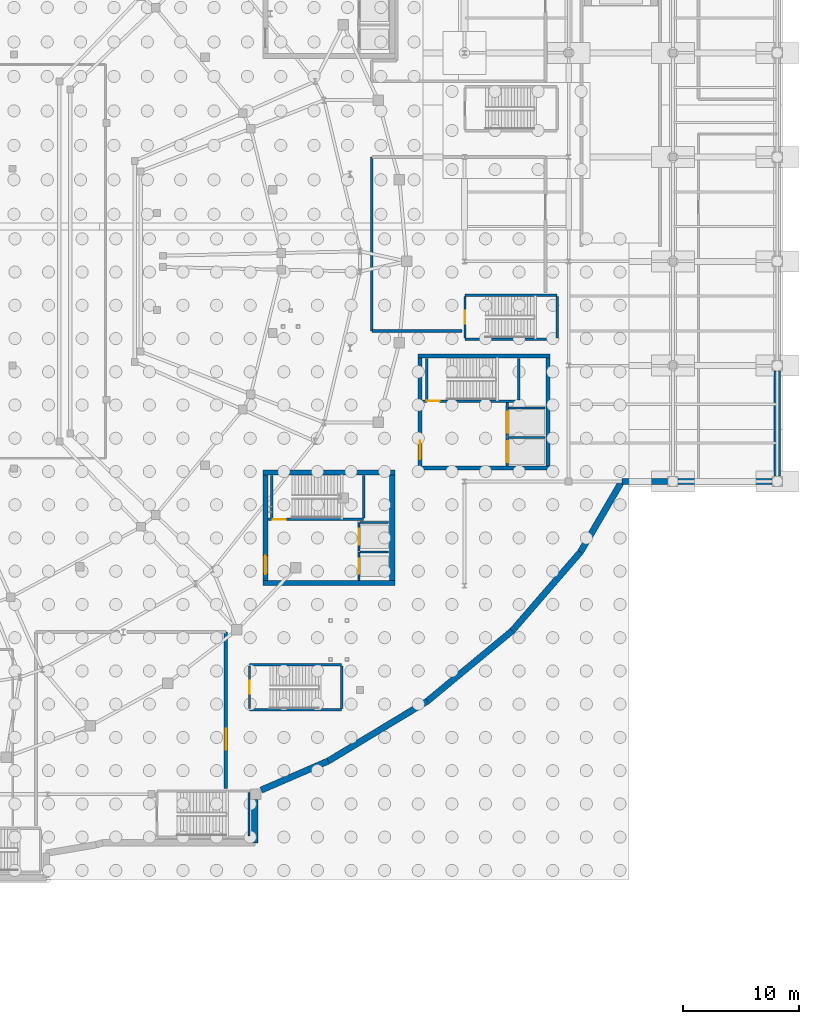
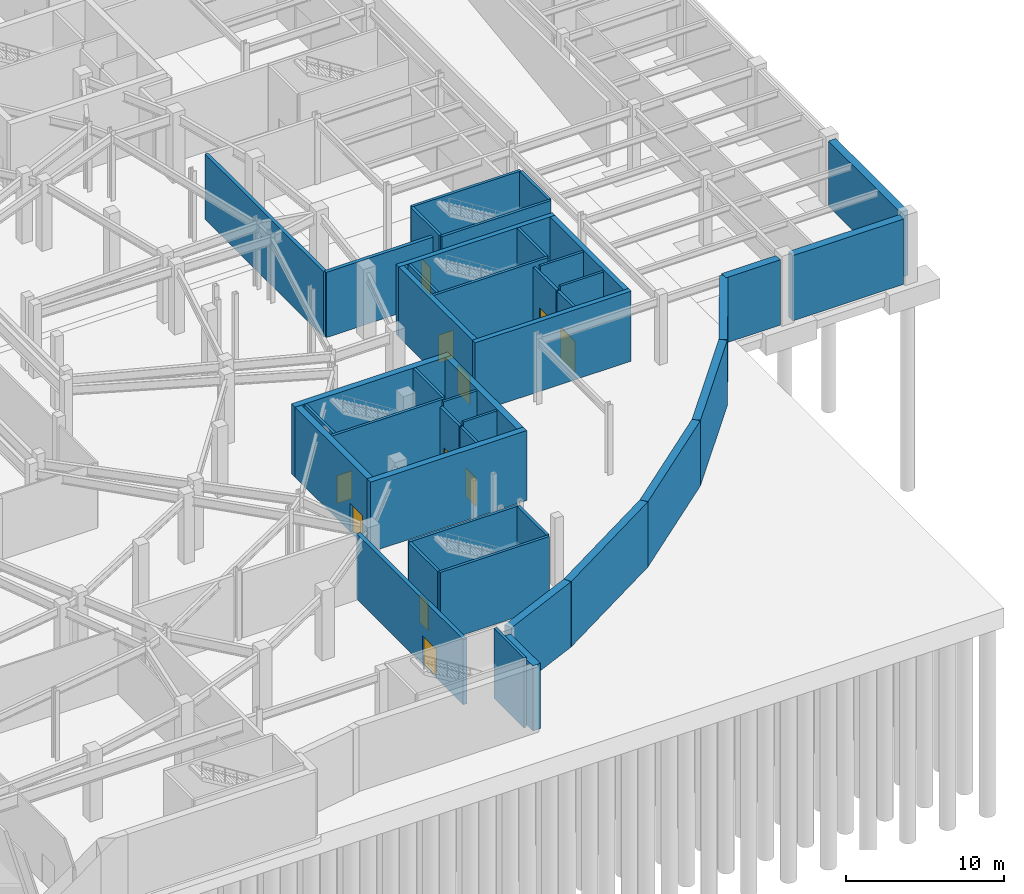
# One storey, part 47 of 56: 43 walls, 11 doors, 11 openings.
"""IFC4 building model written with IfcOpenShell, lengths in metres."""

from ifc_helpers import new_model, si_unit, direction, frame, frame_2d, origin, place, context, subcontext, project, spatial, rectangle, extrude, material, layer, layer_set, type_object, element, fill, save


model = new_model("IFC4")

# Units and contexts
model_context = context("Model", 3, precision=1e-05, world=origin(), true_north=direction((0.0, 1.0)))
body_context = subcontext(model_context, "Body", "Model", "MODEL_VIEW")
ifc_project = project(units=[si_unit("LENGTHUNIT", "METRE"), si_unit("AREAUNIT", "SQUARE_METRE"), si_unit("VOLUMEUNIT", "CUBIC_METRE"), si_unit("PLANEANGLEUNIT", "RADIAN"), si_unit("MASSUNIT", "GRAM", prefix="KILO")], contexts=[model_context])

# Site, building, storey
site_placement = place(None, origin())
site = spatial("IfcSite", under=ifc_project, at=site_placement, CompositionType="ELEMENT")
building_placement = place(site_placement, origin())
building = spatial("IfcBuilding", under=site, at=building_placement, Name="Glasvene Arena", CompositionType="ELEMENT")
storey_placement = place(building_placement, frame((0.0, 0.0, -5.39990234375)))
storey = spatial("IfcBuildingStorey", under=building, at=storey_placement, Name="B1", CompositionType="ELEMENT", Elevation=-5.39990234375)

# Walls
ifc_material_1 = material(Name="Concrete C40/50", Category="concrete")
ifc_layer_1 = layer(ifc_material_1, 0.35009765625)
ifc_layer_set_1 = layer_set([ifc_layer_1], Name="Concrete C40/50")
wall_type_1 = type_object("IfcWallType", Name="WL-CORE-350", PredefinedType="SHEAR", material=ifc_layer_set_1)
for number, where, z_axis, x_axis, name in (
    (1, (143.0, 55.175048828125, 0.0), (0.0, 0.0, 1.0), (1.0, 0.0, 0.0), "Core C6 Production shear wall S B1"),
    (2, (143.0, 64.824951171875, 0.0), (0.0, 0.0, 1.0), (1.0, 0.0, 0.0), "Core C6 Production shear wall N B1"),
):
    element("IfcWall", number, at=place(storey_placement, frame(where, z_axis=z_axis, x_axis=x_axis)), inside=storey, type_object=wall_type_1, Name=name, PredefinedType="SHEAR", context=body_context, shape_type="SweptSolid", body=[
        extrude(rectangle(XDim=11.39990234375, YDim=0.35009765625, at=frame_2d((5.699951171875, 0.0))), origin(), (0.0, 0.0, 1.0), 5.39990234375),
    ])

# Wall, opening, door
wall_1_placement = place(storey_placement, frame((143.175048828125, 55.35009765625, 0.0), z_axis=(0.0, 0.0, 1.0), x_axis=(0.0, 1.0, 0.0)))
wall_1 = element("IfcWall", 3, at=wall_1_placement, inside=storey, type_object=wall_type_1, Name="Core C6 Production shear wall W B1", PredefinedType="SHEAR", context=body_context, shape_type="SweptSolid", body=[
    extrude(rectangle(XDim=9.2998046875, YDim=0.35009765625, at=frame_2d((4.64990234375, 0.0))), origin(), (0.0, 0.0, 1.0), 5.39990234375),
])
opening_1_placement = place(wall_1_placement, frame((0.550048828125, 0.0, 0.0)))
opening_1 = element("IfcOpeningElement", 4, at=opening_1_placement, cuts=wall_1, Name="Opening D-02", PredefinedType="OPENING", context=body_context, shape_type="SweptSolid", body=[
    extrude(rectangle(XDim=1.60009765625, YDim=2.199951171875, at=frame_2d((0.800048828125, 1.10009765625))), frame((0.0, 0.18505859375, 0.0), z_axis=(0.0, -1.0, 0.0), x_axis=(1.0, 0.0, 0.0)), (0.0, 0.0, 1.0), 0.3701171875),
])
ifc_material_2 = material(Name="Painted fire-resisting steel", Category="steel")
door_type_1 = type_object("IfcDoorType", Name="DR-FD60-1600", OperationType="DOUBLE_DOOR_SINGLE_SWING", PredefinedType="DOOR", material=ifc_material_2)
door_1_placement = place(opening_1_placement, frame((1.60009765625, 0.0, 0.0), z_axis=(0.0, 0.0, 1.0), x_axis=(-1.0, 0.0, 0.0)))
door_1 = element("IfcDoor", 5, at=door_1_placement, inside=storey, type_object=door_type_1, Name="Core firefighting lobby concourse door C6-B1", OperationType="DOUBLE_DOOR_SINGLE_SWING", OverallHeight=2.199951171875, OverallWidth=1.60009765625, PredefinedType="DOOR", context=body_context, shape_type="SweptSolid", body=[
    extrude(rectangle(XDim=1.60009765625, YDim=2.199951171875, at=frame_2d((0.800048828125, 1.10009765625))), frame((0.0, 0.02490234375, 0.0), z_axis=(0.0, -1.0, 0.0), x_axis=(1.0, 0.0, 0.0)), (0.0, 0.0, 1.0), 0.050048828125),
])
fill(opening_1, door_1)

# Walls
wall_2_placement = place(storey_placement, frame((154.22509765625, 55.35009765625, 0.0), z_axis=(0.0, 0.0, 1.0), x_axis=(0.0, 1.0, 0.0)))
element("IfcWall", 6, at=wall_2_placement, inside=storey, type_object=wall_type_1, Name="Core C6 Production shear wall E B1", PredefinedType="SHEAR", context=body_context, shape_type="SweptSolid", body=[
    extrude(rectangle(XDim=9.2998046875, YDim=0.35009765625, at=frame_2d((4.64990234375, 0.0))), origin(), (0.0, 0.0, 1.0), 5.39990234375),
])
ifc_layer_2 = layer(ifc_material_1, 0.449951171875)
ifc_layer_set_2 = layer_set([ifc_layer_2], Name="Concrete C40/50")
wall_type_2 = type_object("IfcWallType", Name="WL-CORE-450", PredefinedType="SHEAR", material=ifc_layer_set_2)
for number, where, z_axis, x_axis, name in (
    (7, (129.60009765625, 45.22509765625, 0.0), (0.0, 0.0, 1.0), (1.0, 0.0, 0.0), "Core C4 South-East shear wall S B1"),
    (8, (129.60009765625, 54.77490234375, 0.0), (0.0, 0.0, 1.0), (1.0, 0.0, 0.0), "Core C4 South-East shear wall N B1"),
):
    element("IfcWall", number, at=place(storey_placement, frame(where, z_axis=z_axis, x_axis=x_axis)), inside=storey, type_object=wall_type_2, Name=name, PredefinedType="SHEAR", context=body_context, shape_type="SweptSolid", body=[
        extrude(rectangle(XDim=11.39990234375, YDim=0.449951171875, at=frame_2d((5.699951171875, 0.0))), origin(), (0.0, 0.0, 1.0), 5.39990234375),
    ])

# Wall, opening, door
wall_3_placement = place(storey_placement, frame((129.824951171875, 45.449951171875, 0.0), z_axis=(0.0, 0.0, 1.0), x_axis=(0.0, 1.0, 0.0)))
wall_3 = element("IfcWall", 9, at=wall_3_placement, inside=storey, type_object=wall_type_2, Name="Core C4 South-East shear wall W B1", PredefinedType="SHEAR", context=body_context, shape_type="SweptSolid", body=[
    extrude(rectangle(XDim=9.10009765625, YDim=0.449951171875, at=frame_2d((4.550048828125, 0.0))), origin(), (0.0, 0.0, 1.0), 5.39990234375),
])
opening_2_placement = place(wall_3_placement, frame((0.550048828125, 0.0, 0.0)))
opening_2 = element("IfcOpeningElement", 10, at=opening_2_placement, cuts=wall_3, Name="Opening D-02", PredefinedType="OPENING", context=body_context, shape_type="SweptSolid", body=[
    extrude(rectangle(XDim=1.60009765625, YDim=2.199951171875, at=frame_2d((0.800048828125, 1.10009765625))), frame((0.0, 0.23486328125, 0.0), z_axis=(0.0, -1.0, 0.0), x_axis=(1.0, 0.0, 0.0)), (0.0, 0.0, 1.0), 0.469970703125),
])
door_2_placement = place(opening_2_placement, frame((1.60009765625, 0.0, 0.0), z_axis=(0.0, 0.0, 1.0), x_axis=(-1.0, 0.0, 0.0)))
door_2 = element("IfcDoor", 11, at=door_2_placement, inside=storey, type_object=door_type_1, Name="Core firefighting lobby concourse door C4-B1", OperationType="DOUBLE_DOOR_SINGLE_SWING", OverallHeight=2.199951171875, OverallWidth=1.60009765625, PredefinedType="DOOR", context=body_context, shape_type="SweptSolid", body=[
    extrude(rectangle(XDim=1.60009765625, YDim=2.199951171875, at=frame_2d((0.800048828125, 1.10009765625))), frame((0.0, 0.02490234375, 0.0), z_axis=(0.0, -1.0, 0.0), x_axis=(1.0, 0.0, 0.0)), (0.0, 0.0, 1.0), 0.050048828125),
])
fill(opening_2, door_2)

# Walls
wall_4_placement = place(storey_placement, frame((140.77490234375, 45.449951171875, 0.0), z_axis=(0.0, 0.0, 1.0), x_axis=(0.0, 1.0, 0.0)))
element("IfcWall", 12, at=wall_4_placement, inside=storey, type_object=wall_type_2, Name="Core C4 South-East shear wall E B1", PredefinedType="SHEAR", context=body_context, shape_type="SweptSolid", body=[
    extrude(rectangle(XDim=9.10009765625, YDim=0.449951171875, at=frame_2d((4.550048828125, 0.0))), origin(), (0.0, 0.0, 1.0), 5.39990234375),
])
ifc_layer_3 = layer(ifc_material_1, 0.25)
ifc_layer_set_3 = layer_set([ifc_layer_3], Name="Concrete C40/50")
wall_type_3 = type_object("IfcWallType", Name="WL-FIRE-250", PredefinedType="STANDARD", material=ifc_layer_set_3)
wall_5_placement = place(storey_placement, frame((146.800048828125, 67.0, 0.0), z_axis=(0.0, 0.0, 1.0), x_axis=(-1.0, 0.0, 0.0)))
element("IfcWall", 13, at=wall_5_placement, inside=storey, type_object=wall_type_3, Name="Interior partition wall IW-B1-0057 (Central Heat Pump Chiller Plant)", PredefinedType="STANDARD", context=body_context, shape_type="SweptSolid", body=[
    extrude(rectangle(XDim=7.800048828125, YDim=0.25, at=frame_2d((3.89990234375, 0.0))), origin(), (0.0, 0.0, 1.0), 5.039794921875),
])
wall_6_placement = place(storey_placement, frame((139.0, 67.0, 0.0), z_axis=(0.0, 0.0, 1.0), x_axis=(0.0, 1.0, 0.0)))
element("IfcWall", 14, at=wall_6_placement, inside=storey, type_object=wall_type_3, Name="Interior partition wall IW-B1-0058 (Central Heat Pump Chiller Plant)", PredefinedType="STANDARD", context=body_context, shape_type="SweptSolid", body=[
    extrude(rectangle(XDim=15.0, YDim=0.25, at=frame_2d((7.5, 0.0))), origin(), (0.0, 0.0, 1.0), 5.039794921875),
])
ifc_layer_4 = layer(ifc_material_1, 0.550048828125)
ifc_layer_set_4 = layer_set([ifc_layer_4], Name="Concrete C40/50")
wall_type_4 = type_object("IfcWallType", Name="WL-RET-550", PredefinedType="SOLIDWALL", material=ifc_layer_set_4)
wall_7_placement = place(storey_placement, frame((174.0, 63.548095703125, 0.0), z_axis=(0.0, 0.0, 1.0), x_axis=(0.0, -1.0, 0.0)))
element("IfcWall", 15, at=wall_7_placement, inside=storey, type_object=wall_type_4, Name="Basement retaining wall B1-040", PredefinedType="SOLIDWALL", context=body_context, shape_type="SweptSolid", body=[
    extrude(rectangle(XDim=9.09619140625, YDim=0.550048828125, at=frame_2d((4.548095703125, 0.0))), origin(), (0.0, 0.0, 1.0), 5.039794921875),
])
wall_8_placement = place(storey_placement, frame((173.548095703125, 54.0, 0.0), z_axis=(0.0, 0.0, 1.0), x_axis=(-1.0, 0.0, 0.0)))
element("IfcWall", 16, at=wall_8_placement, inside=storey, type_object=wall_type_4, Name="Basement retaining wall B1-041", PredefinedType="SOLIDWALL", context=body_context, shape_type="SweptSolid", body=[
    extrude(rectangle(XDim=8.09619140625, YDim=0.550048828125, at=frame_2d((4.048095703125, 0.0))), origin(), (0.0, 0.0, 1.0), 5.039794921875),
])
wall_9_placement = place(storey_placement, frame((164.548095703125, 54.0, 0.0), z_axis=(0.0, 0.0, 1.0), x_axis=(-1.0, 0.0, 0.0)))
element("IfcWall", 17, at=wall_9_placement, inside=storey, type_object=wall_type_4, Name="Basement retaining wall B1-042", PredefinedType="SOLIDWALL", context=body_context, shape_type="SweptSolid", body=[
    extrude(rectangle(XDim=3.9677734375, YDim=0.550048828125, at=frame_2d((1.98388671875, 0.0))), origin(), (0.0, 0.0, 1.0), 5.039794921875),
])
wall_10_placement = place(storey_placement, frame((160.580322265625, 54.0, 0.0), z_axis=(0.0, 0.0, 1.0), x_axis=(-0.505106237674, -0.863057175779, 0.0)))
element("IfcWall", 18, at=wall_10_placement, inside=storey, type_object=wall_type_4, Name="Basement retaining wall B1-043", PredefinedType="SOLIDWALL", context=body_context, shape_type="SweptSolid", body=[
    extrude(rectangle(XDim=7.051025390625, YDim=0.550048828125, at=frame_2d((3.525390625, 0.0))), origin(), (0.0, 0.0, 1.0), 5.039794921875),
])
wall_11_placement = place(storey_placement, frame((157.018798828125, 47.91455078125, 0.0), z_axis=(0.0, 0.0, 1.0), x_axis=(-0.654583444965, -0.755989757588, 0.0)))
element("IfcWall", 19, at=wall_11_placement, inside=storey, type_object=wall_type_4, Name="Basement retaining wall B1-044", PredefinedType="SOLIDWALL", context=body_context, shape_type="SweptSolid", body=[
    extrude(rectangle(XDim=8.99951171875, YDim=0.550048828125, at=frame_2d((4.499755859375, 0.0))), origin(), (0.0, 0.0, 1.0), 5.039794921875),
])
wall_12_placement = place(storey_placement, frame((151.1279296875, 41.111083984375, 0.0), z_axis=(0.0, 0.0, 1.0), x_axis=(-0.770002821077, -0.638040481109, 0.0)))
element("IfcWall", 20, at=wall_12_placement, inside=storey, type_object=wall_type_4, Name="Basement retaining wall B1-045", PredefinedType="SOLIDWALL", context=body_context, shape_type="SweptSolid", body=[
    extrude(rectangle(XDim=9.509521484375, YDim=0.550048828125, at=frame_2d((4.7548828125, 0.0))), origin(), (0.0, 0.0, 1.0), 5.039794921875),
])
wall_13_placement = place(storey_placement, frame((143.8056640625, 35.043701171875, 0.0), z_axis=(0.0, 0.0, 1.0), x_axis=(-0.855806756957, -0.517295655062, 0.0)))
element("IfcWall", 21, at=wall_13_placement, inside=storey, type_object=wall_type_4, Name="Basement retaining wall B1-046", PredefinedType="SOLIDWALL", context=body_context, shape_type="SweptSolid", body=[
    extrude(rectangle(XDim=10.017822265625, YDim=0.550048828125, at=frame_2d((5.0087890625, 0.0))), origin(), (0.0, 0.0, 1.0), 5.039794921875),
])
wall_14_placement = place(storey_placement, frame((135.232421875, 29.861572265625, 0.0), z_axis=(0.0, 0.0, 1.0), x_axis=(-0.917428824113, -0.397899927981, 0.0)))
element("IfcWall", 22, at=wall_14_placement, inside=storey, type_object=wall_type_4, Name="Basement retaining wall B1-047", PredefinedType="SOLIDWALL", context=body_context, shape_type="SweptSolid", body=[
    extrude(rectangle(XDim=6.30078125, YDim=0.550048828125, at=frame_2d((3.150390625, 0.0))), origin(), (0.0, 0.0, 1.0), 5.039794921875),
])
wall_15_placement = place(storey_placement, frame((128.89990234375, 26.548095703125, 0.0), z_axis=(0.0, 0.0, 1.0), x_axis=(0.0, -1.0, 0.0)))
element("IfcWall", 23, at=wall_15_placement, inside=storey, type_object=wall_type_4, Name="Basement retaining wall B1-048", PredefinedType="SOLIDWALL", context=body_context, shape_type="SweptSolid", body=[
    extrude(rectangle(XDim=3.748046875, YDim=0.550048828125, at=frame_2d((1.8740234375, 0.0))), origin(), (0.0, 0.0, 1.0), 5.039794921875),
])

# Wall, opening, door
ifc_layer_5 = layer(ifc_material_1, 0.199951171875)
ifc_layer_set_5 = layer_set([ifc_layer_5], Name="Concrete C40/50")
wall_type_5 = type_object("IfcWallType", Name="WL-SHAFT-200", PredefinedType="SHEAR", material=ifc_layer_set_5)
wall_16_placement = place(storey_placement, frame((137.89990234375, 45.449951171875, 0.0), z_axis=(0.0, 0.0, 1.0), x_axis=(0.0, 1.0, 0.0)))
wall_16 = element("IfcWall", 24, at=wall_16_placement, inside=storey, type_object=wall_type_5, Name="Lift shaft front wall FFL-04 B1", PredefinedType="SHEAR", context=body_context, shape_type="SweptSolid", body=[
    extrude(rectangle(XDim=2.449951171875, YDim=0.199951171875, at=frame_2d((1.22509765625, 0.0))), origin(), (0.0, 0.0, 1.0), 5.039794921875),
])
opening_3_placement = place(wall_16_placement, frame((0.574951171875, 0.0, 0.0)))
opening_3 = element("IfcOpeningElement", 25, at=opening_3_placement, cuts=wall_16, Name="Opening LD-FF", PredefinedType="OPENING", context=body_context, shape_type="SweptSolid", body=[
    extrude(rectangle(XDim=1.300048828125, YDim=2.199951171875, at=frame_2d((0.64990234375, 1.10009765625))), frame((0.0, 0.10986328125, 0.0), z_axis=(0.0, -1.0, 0.0), x_axis=(1.0, 0.0, 0.0)), (0.0, 0.0, 1.0), 0.219970703125),
])
ifc_material_3 = material(Name="Brushed stainless steel", Category="steel")
door_type_2 = type_object("IfcDoorType", Name="LD-FFL-1300", OperationType="DOUBLE_DOOR_SLIDING", PredefinedType="DOOR", material=ifc_material_3)
door_3_placement = place(opening_3_placement, origin())
door_3 = element("IfcDoor", 26, at=door_3_placement, inside=storey, type_object=door_type_2, Name="Lift sliding landing door LD-FFL-04-B1", OperationType="DOUBLE_DOOR_SLIDING", OverallHeight=2.199951171875, OverallWidth=1.300048828125, PredefinedType="DOOR", context=body_context, shape_type="SweptSolid", body=[
    extrude(rectangle(XDim=1.300048828125, YDim=2.199951171875, at=frame_2d((0.64990234375, 1.10009765625))), frame((0.0, 0.02490234375, 0.0), z_axis=(0.0, -1.0, 0.0), x_axis=(1.0, 0.0, 0.0)), (0.0, 0.0, 1.0), 0.050048828125),
])
fill(opening_3, door_3)

wall_17_placement = place(storey_placement, frame((137.89990234375, 48.0, 0.0), z_axis=(0.0, 0.0, 1.0), x_axis=(0.0, 1.0, 0.0)))
wall_17 = element("IfcWall", 27, at=wall_17_placement, inside=storey, type_object=wall_type_5, Name="Lift shaft front wall PL-04 B1", PredefinedType="SHEAR", context=body_context, shape_type="SweptSolid", body=[
    extrude(rectangle(XDim=2.449951171875, YDim=0.199951171875, at=frame_2d((1.22509765625, 0.0))), origin(), (0.0, 0.0, 1.0), 5.039794921875),
])
opening_4_placement = place(wall_17_placement, frame((0.52490234375, 0.0, 0.0)))
opening_4 = element("IfcOpeningElement", 28, at=opening_4_placement, cuts=wall_17, Name="Opening LD-PL", PredefinedType="OPENING", context=body_context, shape_type="SweptSolid", body=[
    extrude(rectangle(XDim=1.39990234375, YDim=2.199951171875, at=frame_2d((0.699951171875, 1.10009765625))), frame((0.0, 0.10986328125, 0.0), z_axis=(0.0, -1.0, 0.0), x_axis=(1.0, 0.0, 0.0)), (0.0, 0.0, 1.0), 0.219970703125),
])
door_type_3 = type_object("IfcDoorType", Name="LD-PL-1400", OperationType="DOUBLE_DOOR_SLIDING", PredefinedType="DOOR", material=ifc_material_3)
door_4_placement = place(opening_4_placement, origin())
door_4 = element("IfcDoor", 29, at=door_4_placement, inside=storey, type_object=door_type_3, Name="Lift sliding landing door LD-PL-04-B1", OperationType="DOUBLE_DOOR_SLIDING", OverallHeight=2.199951171875, OverallWidth=1.39990234375, PredefinedType="DOOR", context=body_context, shape_type="SweptSolid", body=[
    extrude(rectangle(XDim=1.39990234375, YDim=2.199951171875, at=frame_2d((0.699951171875, 1.10009765625))), frame((0.0, 0.02490234375, 0.0), z_axis=(0.0, -1.0, 0.0), x_axis=(1.0, 0.0, 0.0)), (0.0, 0.0, 1.0), 0.050048828125),
])
fill(opening_4, door_4)

wall_18_placement = place(storey_placement, frame((150.699951171875, 55.35009765625, 0.0), z_axis=(0.0, 0.0, 1.0), x_axis=(0.0, 1.0, 0.0)))
wall_18 = element("IfcWall", 30, at=wall_18_placement, inside=storey, type_object=wall_type_5, Name="Lift shaft front wall GL-01 B1", PredefinedType="SHEAR", context=body_context, shape_type="SweptSolid", body=[
    extrude(rectangle(XDim=2.449951171875, YDim=0.199951171875, at=frame_2d((1.22509765625, 0.0))), origin(), (0.0, 0.0, 1.0), 5.039794921875),
])
opening_5_placement = place(wall_18_placement, frame((0.324951171875, 0.0, 0.0)))
opening_5 = element("IfcOpeningElement", 31, at=opening_5_placement, cuts=wall_18, Name="Opening LD-GL", PredefinedType="OPENING", context=body_context, shape_type="SweptSolid", body=[
    extrude(rectangle(XDim=1.800048828125, YDim=2.39990234375, at=frame_2d((0.89990234375, 1.199951171875))), frame((0.0, 0.10986328125, 0.0), z_axis=(0.0, -1.0, 0.0), x_axis=(1.0, 0.0, 0.0)), (0.0, 0.0, 1.0), 0.219970703125),
])
door_type_4 = type_object("IfcDoorType", Name="LD-GL-1800", OperationType="DOUBLE_DOOR_SLIDING", PredefinedType="DOOR", material=ifc_material_3)
door_5_placement = place(opening_5_placement, origin())
door_5 = element("IfcDoor", 32, at=door_5_placement, inside=storey, type_object=door_type_4, Name="Lift sliding landing door LD-GL-01-B1", OperationType="DOUBLE_DOOR_SLIDING", OverallHeight=2.39990234375, OverallWidth=1.800048828125, PredefinedType="DOOR", context=body_context, shape_type="SweptSolid", body=[
    extrude(rectangle(XDim=1.800048828125, YDim=2.39990234375, at=frame_2d((0.89990234375, 1.199951171875))), frame((0.0, 0.02490234375, 0.0), z_axis=(0.0, -1.0, 0.0), x_axis=(1.0, 0.0, 0.0)), (0.0, 0.0, 1.0), 0.050048828125),
])
fill(opening_5, door_5)

wall_19_placement = place(storey_placement, frame((150.699951171875, 57.89990234375, 0.0), z_axis=(0.0, 0.0, 1.0), x_axis=(0.0, 1.0, 0.0)))
wall_19 = element("IfcWall", 33, at=wall_19_placement, inside=storey, type_object=wall_type_5, Name="Lift shaft front wall GL-02 B1", PredefinedType="SHEAR", context=body_context, shape_type="SweptSolid", body=[
    extrude(rectangle(XDim=2.927978515625, YDim=0.199951171875, at=frame_2d((1.4638671875, 0.0))), origin(), (0.0, 0.0, 1.0), 5.039794921875),
])
opening_6_placement = place(wall_19_placement, frame((0.324951171875, 0.0, 0.0)))
opening_6 = element("IfcOpeningElement", 34, at=opening_6_placement, cuts=wall_19, Name="Opening LD-GL", PredefinedType="OPENING", context=body_context, shape_type="SweptSolid", body=[
    extrude(rectangle(XDim=1.800048828125, YDim=2.39990234375, at=frame_2d((0.89990234375, 1.199951171875))), frame((0.0, 0.10986328125, 0.0), z_axis=(0.0, -1.0, 0.0), x_axis=(1.0, 0.0, 0.0)), (0.0, 0.0, 1.0), 0.219970703125),
])
door_6_placement = place(opening_6_placement, origin())
door_6 = element("IfcDoor", 35, at=door_6_placement, inside=storey, type_object=door_type_4, Name="Lift sliding landing door LD-GL-02-B1", OperationType="DOUBLE_DOOR_SLIDING", OverallHeight=2.39990234375, OverallWidth=1.800048828125, PredefinedType="DOOR", context=body_context, shape_type="SweptSolid", body=[
    extrude(rectangle(XDim=1.800048828125, YDim=2.39990234375, at=frame_2d((0.89990234375, 1.199951171875))), frame((0.0, 0.02490234375, 0.0), z_axis=(0.0, -1.0, 0.0), x_axis=(1.0, 0.0, 0.0)), (0.0, 0.0, 1.0), 0.050048828125),
])
fill(opening_6, door_6)

wall_20_placement = place(storey_placement, frame((130.052001953125, 50.72998046875, 0.0), z_axis=(0.0, 0.0, 1.0), x_axis=(1.0, 0.0, 0.0)))
wall_20 = element("IfcWall", 36, at=wall_20_placement, inside=storey, type_object=wall_type_5, Name="Escape stair shaft wall ST-04 B1 S", PredefinedType="SHEAR", context=body_context, shape_type="SweptSolid", body=[
    extrude(rectangle(XDim=8.248046875, YDim=0.199951171875, at=frame_2d((4.1240234375, 0.0))), origin(), (0.0, 0.0, 1.0), 5.39990234375),
])
opening_7_placement = place(wall_20_placement, frame((0.39990234375, 0.0, 0.0)))
opening_7 = element("IfcOpeningElement", 37, at=opening_7_placement, cuts=wall_20, Name="Opening D-04", PredefinedType="OPENING", context=body_context, shape_type="SweptSolid", body=[
    extrude(rectangle(XDim=1.10009765625, YDim=2.14990234375, at=frame_2d((0.550048828125, 1.074951171875))), frame((0.0, 0.10986328125, 0.0), z_axis=(0.0, -1.0, 0.0), x_axis=(1.0, 0.0, 0.0)), (0.0, 0.0, 1.0), 0.219970703125),
])
door_type_5 = type_object("IfcDoorType", Name="DR-FD60-1100", OperationType="NOTDEFINED", PredefinedType="DOOR", material=ifc_material_2)
door_7_placement = place(opening_7_placement, frame((1.10009765625, 0.0, 0.0), z_axis=(0.0, 0.0, 1.0), x_axis=(-1.0, 0.0, 0.0)))
door_7 = element("IfcDoor", 38, at=door_7_placement, inside=storey, type_object=door_type_5, Name="Protected escape stair door ST-04 B1", OperationType="SINGLE_SWING_LEFT", OverallHeight=2.14990234375, OverallWidth=1.10009765625, PredefinedType="DOOR", context=body_context, shape_type="SweptSolid", body=[
    extrude(rectangle(XDim=1.10009765625, YDim=2.14990234375, at=frame_2d((0.550048828125, 1.074951171875))), frame((0.0, 0.02490234375, 0.0), z_axis=(0.0, -1.0, 0.0), x_axis=(1.0, 0.0, 0.0)), (0.0, 0.0, 1.0), 0.050048828125),
])
fill(opening_7, door_7)

# Walls
for number, where, z_axis, x_axis, name in (
    (39, (130.35009765625, 50.83203125, 0.0), (0.0, 0.0, 1.0), (0.0, 1.0, 0.0), "Escape stair shaft wall ST-04 B1 W"),
    (40, (138.300048828125, 50.83203125, 0.0), (0.0, 0.0, 1.0), (0.0, 1.0, 0.0), "Escape stair shaft wall ST-04 B1 E"),
):
    element("IfcWall", number, at=place(storey_placement, frame(where, z_axis=z_axis, x_axis=x_axis)), inside=storey, type_object=wall_type_5, Name=name, PredefinedType="SHEAR", context=body_context, shape_type="SweptSolid", body=[
        extrude(rectangle(XDim=3.68603515625, YDim=0.199951171875, at=frame_2d((1.843017578125, 0.0))), origin(), (0.0, 0.0, 1.0), 5.39990234375),
    ])
wall_21_placement = place(storey_placement, frame((128.449951171875, 34.280029296875, 0.0), z_axis=(0.0, 0.0, 1.0), x_axis=(1.0, 0.0, 0.0)))
element("IfcWall", 41, at=wall_21_placement, inside=storey, type_object=wall_type_5, Name="Escape stair shaft wall ST-06 B1 S", PredefinedType="SHEAR", context=body_context, shape_type="SweptSolid", body=[
    extrude(rectangle(XDim=7.949951171875, YDim=0.199951171875, at=frame_2d((3.97509765625, 0.0))), origin(), (0.0, 0.0, 1.0), 5.39990234375),
])

# Wall, opening, door
wall_22_placement = place(storey_placement, frame((128.449951171875, 34.382080078125, 0.0), z_axis=(0.0, 0.0, 1.0), x_axis=(0.0, 1.0, 0.0)))
wall_22 = element("IfcWall", 42, at=wall_22_placement, inside=storey, type_object=wall_type_5, Name="Escape stair shaft wall ST-06 B1 W", PredefinedType="SHEAR", context=body_context, shape_type="SweptSolid", body=[
    extrude(rectangle(XDim=3.68603515625, YDim=0.199951171875, at=frame_2d((1.843017578125, 0.0))), origin(), (0.0, 0.0, 1.0), 5.39990234375),
])
opening_8_placement = place(wall_22_placement, frame((1.29296875, 0.0, 0.0)))
opening_8 = element("IfcOpeningElement", 43, at=opening_8_placement, cuts=wall_22, Name="Opening D-04", PredefinedType="OPENING", context=body_context, shape_type="SweptSolid", body=[
    extrude(rectangle(XDim=1.10009765625, YDim=2.14990234375, at=frame_2d((0.550048828125, 1.074951171875))), frame((0.0, 0.10986328125, 0.0), z_axis=(0.0, -1.0, 0.0), x_axis=(1.0, 0.0, 0.0)), (0.0, 0.0, 1.0), 0.219970703125),
])
door_8_placement = place(opening_8_placement, frame((1.10009765625, 0.0, 0.0), z_axis=(0.0, 0.0, 1.0), x_axis=(-1.0, 0.0, 0.0)))
door_8 = element("IfcDoor", 44, at=door_8_placement, inside=storey, type_object=door_type_5, Name="Protected escape stair door ST-06 B1", OperationType="SINGLE_SWING_LEFT", OverallHeight=2.14990234375, OverallWidth=1.10009765625, PredefinedType="DOOR", context=body_context, shape_type="SweptSolid", body=[
    extrude(rectangle(XDim=1.10009765625, YDim=2.14990234375, at=frame_2d((0.550048828125, 1.074951171875))), frame((0.0, 0.02490234375, 0.0), z_axis=(0.0, -1.0, 0.0), x_axis=(1.0, 0.0, 0.0)), (0.0, 0.0, 1.0), 0.050048828125),
])
fill(opening_8, door_8)

# Walls
wall_23_placement = place(storey_placement, frame((136.39990234375, 34.382080078125, 0.0), z_axis=(0.0, 0.0, 1.0), x_axis=(0.0, 1.0, 0.0)))
element("IfcWall", 45, at=wall_23_placement, inside=storey, type_object=wall_type_5, Name="Escape stair shaft wall ST-06 B1 E", PredefinedType="SHEAR", context=body_context, shape_type="SweptSolid", body=[
    extrude(rectangle(XDim=3.68603515625, YDim=0.199951171875, at=frame_2d((1.843017578125, 0.0))), origin(), (0.0, 0.0, 1.0), 5.39990234375),
])
wall_24_placement = place(storey_placement, frame((128.449951171875, 38.169921875, 0.0), z_axis=(0.0, 0.0, 1.0), x_axis=(1.0, 0.0, 0.0)))
element("IfcWall", 46, at=wall_24_placement, inside=storey, type_object=wall_type_5, Name="Escape stair shaft wall ST-06 B1 N", PredefinedType="SHEAR", context=body_context, shape_type="SweptSolid", body=[
    extrude(rectangle(XDim=7.949951171875, YDim=0.199951171875, at=frame_2d((3.97509765625, 0.0))), origin(), (0.0, 0.0, 1.0), 5.39990234375),
])

# Wall, opening, door
wall_25_placement = place(storey_placement, frame((143.35205078125, 60.929931640625, 0.0), z_axis=(0.0, 0.0, 1.0), x_axis=(1.0, 0.0, 0.0)))
wall_25 = element("IfcWall", 47, at=wall_25_placement, inside=storey, type_object=wall_type_5, Name="Escape stair shaft wall ST-B01 B1 S", PredefinedType="SHEAR", context=body_context, shape_type="SweptSolid", body=[
    extrude(rectangle(XDim=8.347900390625, YDim=0.199951171875, at=frame_2d((4.173828125, 0.0))), origin(), (0.0, 0.0, 1.0), 5.39990234375),
])
opening_9_placement = place(wall_25_placement, frame((0.39990234375, 0.0, 0.0)))
opening_9 = element("IfcOpeningElement", 48, at=opening_9_placement, cuts=wall_25, Name="Opening D-04", PredefinedType="OPENING", context=body_context, shape_type="SweptSolid", body=[
    extrude(rectangle(XDim=1.10009765625, YDim=2.14990234375, at=frame_2d((0.550048828125, 1.074951171875))), frame((0.0, 0.10986328125, 0.0), z_axis=(0.0, -1.0, 0.0), x_axis=(1.0, 0.0, 0.0)), (0.0, 0.0, 1.0), 0.219970703125),
])
door_9_placement = place(opening_9_placement, frame((1.10009765625, 0.0, 0.0), z_axis=(0.0, 0.0, 1.0), x_axis=(-1.0, 0.0, 0.0)))
door_9 = element("IfcDoor", 49, at=door_9_placement, inside=storey, type_object=door_type_5, Name="Protected escape stair door ST-B01 B1", OperationType="SINGLE_SWING_RIGHT", OverallHeight=2.14990234375, OverallWidth=1.10009765625, PredefinedType="DOOR", context=body_context, shape_type="SweptSolid", body=[
    extrude(rectangle(XDim=1.10009765625, YDim=2.14990234375, at=frame_2d((0.550048828125, 1.074951171875))), frame((0.0, 0.02490234375, 0.0), z_axis=(0.0, -1.0, 0.0), x_axis=(1.0, 0.0, 0.0)), (0.0, 0.0, 1.0), 0.050048828125),
])
fill(opening_9, door_9)

# Walls
for number, where, z_axis, x_axis, name in (
    (50, (143.75, 61.031982421875, 0.0), (0.0, 0.0, 1.0), (0.0, 1.0, 0.0), "Escape stair shaft wall ST-B01 B1 W"),
    (51, (151.699951171875, 61.031982421875, 0.0), (0.0, 0.0, 1.0), (0.0, 1.0, 0.0), "Escape stair shaft wall ST-B01 B1 E"),
):
    element("IfcWall", number, at=place(storey_placement, frame(where, z_axis=z_axis, x_axis=x_axis)), inside=storey, type_object=wall_type_5, Name=name, PredefinedType="SHEAR", context=body_context, shape_type="SweptSolid", body=[
        extrude(rectangle(XDim=3.5859375, YDim=0.199951171875, at=frame_2d((1.79296875, 0.0))), origin(), (0.0, 0.0, 1.0), 5.39990234375),
    ])
wall_26_placement = place(storey_placement, frame((147.050048828125, 66.280029296875, 0.0), z_axis=(0.0, 0.0, 1.0), x_axis=(1.0, 0.0, 0.0)))
element("IfcWall", 52, at=wall_26_placement, inside=storey, type_object=wall_type_5, Name="Escape stair shaft wall ST-B04 B1 S", PredefinedType="SHEAR", context=body_context, shape_type="SweptSolid", body=[
    extrude(rectangle(XDim=7.949951171875, YDim=0.199951171875, at=frame_2d((3.97509765625, 0.0))), origin(), (0.0, 0.0, 1.0), 5.39990234375),
])

# Wall, opening, door
wall_27_placement = place(storey_placement, frame((147.050048828125, 66.382080078125, 0.0), z_axis=(0.0, 0.0, 1.0), x_axis=(0.0, 1.0, 0.0)))
wall_27 = element("IfcWall", 53, at=wall_27_placement, inside=storey, type_object=wall_type_5, Name="Escape stair shaft wall ST-B04 B1 W", PredefinedType="SHEAR", context=body_context, shape_type="SweptSolid", body=[
    extrude(rectangle(XDim=3.5859375, YDim=0.199951171875, at=frame_2d((1.79296875, 0.0))), origin(), (0.0, 0.0, 1.0), 5.39990234375),
])
opening_10_placement = place(wall_27_placement, frame((1.242919921875, 0.0, 0.0)))
opening_10 = element("IfcOpeningElement", 54, at=opening_10_placement, cuts=wall_27, Name="Opening D-04", PredefinedType="OPENING", context=body_context, shape_type="SweptSolid", body=[
    extrude(rectangle(XDim=1.10009765625, YDim=2.14990234375, at=frame_2d((0.550048828125, 1.074951171875))), frame((0.0, 0.10986328125, 0.0), z_axis=(0.0, -1.0, 0.0), x_axis=(1.0, 0.0, 0.0)), (0.0, 0.0, 1.0), 0.219970703125),
])
door_10_placement = place(opening_10_placement, frame((1.10009765625, 0.0, 0.0), z_axis=(0.0, 0.0, 1.0), x_axis=(-1.0, 0.0, 0.0)))
door_10 = element("IfcDoor", 55, at=door_10_placement, inside=storey, type_object=door_type_5, Name="Protected escape stair door ST-B04 B1", OperationType="SINGLE_SWING_RIGHT", OverallHeight=2.14990234375, OverallWidth=1.10009765625, PredefinedType="DOOR", context=body_context, shape_type="SweptSolid", body=[
    extrude(rectangle(XDim=1.10009765625, YDim=2.14990234375, at=frame_2d((0.550048828125, 1.074951171875))), frame((0.0, 0.02490234375, 0.0), z_axis=(0.0, -1.0, 0.0), x_axis=(1.0, 0.0, 0.0)), (0.0, 0.0, 1.0), 0.050048828125),
])
fill(opening_10, door_10)

# Walls
wall_28_placement = place(storey_placement, frame((155.0, 66.382080078125, 0.0), z_axis=(0.0, 0.0, 1.0), x_axis=(0.0, 1.0, 0.0)))
element("IfcWall", 56, at=wall_28_placement, inside=storey, type_object=wall_type_5, Name="Escape stair shaft wall ST-B04 B1 E", PredefinedType="SHEAR", context=body_context, shape_type="SweptSolid", body=[
    extrude(rectangle(XDim=3.5859375, YDim=0.199951171875, at=frame_2d((1.79296875, 0.0))), origin(), (0.0, 0.0, 1.0), 5.39990234375),
])
wall_29_placement = place(storey_placement, frame((147.050048828125, 70.070068359375, 0.0), z_axis=(0.0, 0.0, 1.0), x_axis=(1.0, 0.0, 0.0)))
element("IfcWall", 57, at=wall_29_placement, inside=storey, type_object=wall_type_5, Name="Escape stair shaft wall ST-B04 B1 N", PredefinedType="SHEAR", context=body_context, shape_type="SweptSolid", body=[
    extrude(rectangle(XDim=7.949951171875, YDim=0.199951171875, at=frame_2d((3.97509765625, 0.0))), origin(), (0.0, 0.0, 1.0), 5.39990234375),
])
wall_30_placement = place(storey_placement, frame((128.39990234375, 23.382080078125, 0.0), z_axis=(0.0, 0.0, 1.0), x_axis=(0.0, 1.0, 0.0)))
element("IfcWall", 58, at=wall_30_placement, inside=storey, type_object=wall_type_5, Name="Escape stair shaft wall ST-B07 B1 E", PredefinedType="SHEAR", context=body_context, shape_type="SweptSolid", body=[
    extrude(rectangle(XDim=3.785888671875, YDim=0.199951171875, at=frame_2d((1.89306640625, 0.0))), origin(), (0.0, 0.0, 1.0), 5.39990234375),
])

# Wall, opening, door
ifc_material_4 = material(Name="Twin-frame acoustic gypsum partition")
ifc_layer_6 = layer(ifc_material_4, 0.280029296875)
ifc_layer_set_6 = layer_set([ifc_layer_6], Name="Twin-frame acoustic gypsum partition")
wall_type_6 = type_object("IfcWallType", Name="WL-STUDIO-280", PredefinedType="PARTITIONING", material=ifc_layer_set_6)
wall_31_placement = place(storey_placement, frame((126.39990234375, 41.0, 0.0), z_axis=(0.0, 0.0, 1.0), x_axis=(0.0, -1.0, 0.0)))
wall_31 = element("IfcWall", 59, at=wall_31_placement, inside=storey, type_object=wall_type_6, Name="Interior partition wall IW-B1-0017 (Visiting Team Athlete Changing)", PredefinedType="PARTITIONING", context=body_context, shape_type="SweptSolid", body=[
    extrude(rectangle(XDim=13.5, YDim=0.280029296875, at=frame_2d((6.75, 0.0))), origin(), (0.0, 0.0, 1.0), 5.039794921875),
])
opening_11_placement = place(wall_31_placement, frame((8.35009765625, 0.0, 0.0)))
opening_11 = element("IfcOpeningElement", 60, at=opening_11_placement, cuts=wall_31, Name="Opening D-01", PredefinedType="OPENING", context=body_context, shape_type="SweptSolid", body=[
    extrude(rectangle(XDim=1.800048828125, YDim=2.199951171875, at=frame_2d((0.89990234375, 1.10009765625))), frame((0.0, 0.14990234375, 0.0), z_axis=(0.0, -1.0, 0.0), x_axis=(1.0, 0.0, 0.0)), (0.0, 0.0, 1.0), 0.300048828125),
])
door_type_6 = type_object("IfcDoorType", Name="DR-FD60-1800", OperationType="DOUBLE_DOOR_SINGLE_SWING", PredefinedType="DOOR", material=ifc_material_2)
door_11_placement = place(opening_11_placement, origin())
door_11 = element("IfcDoor", 61, at=door_11_placement, inside=storey, type_object=door_type_6, Name="Interior door DR-FD60-1800 (Visiting Team Athlete Changing)", OperationType="DOUBLE_DOOR_SINGLE_SWING", OverallHeight=2.199951171875, OverallWidth=1.800048828125, PredefinedType="DOOR", context=body_context, shape_type="SweptSolid", body=[
    extrude(rectangle(XDim=1.800048828125, YDim=2.199951171875, at=frame_2d((0.89990234375, 1.10009765625))), frame((0.0, 0.02490234375, 0.0), z_axis=(0.0, -1.0, 0.0), x_axis=(1.0, 0.0, 0.0)), (0.0, 0.0, 1.0), 0.050048828125),
])
fill(opening_11, door_11)

# Walls
ifc_material_5 = material(Name="Moisture-resistant masonry blockwork", Category="masonry")
ifc_layer_7 = layer(ifc_material_5, 0.179931640625)
ifc_layer_set_7 = layer_set([ifc_layer_7], Name="Moisture-resistant masonry blockwork")
wall_type_7 = type_object("IfcWallType", Name="WL-WET-180", PredefinedType="PARTITIONING", material=ifc_layer_set_7)
for number, where, z_axis, x_axis, name in (
    (62, (138.0, 47.89990234375, 0.0), (0.0, 0.0, 1.0), (1.0, 0.0, 0.0), "Lift shaft divider wall C4 B1"),
    (63, (138.0, 50.449951171875, 0.0), (0.0, 0.0, 1.0), (1.0, 0.0, 0.0), "Lift shaft north enclosure wall C4 B1"),
):
    element("IfcWall", number, at=place(storey_placement, frame(where, z_axis=z_axis, x_axis=x_axis)), inside=storey, type_object=wall_type_7, Name=name, PredefinedType="PARTITIONING", context=body_context, shape_type="SweptSolid", body=[
        extrude(rectangle(XDim=2.449951171875, YDim=0.179931640625, at=frame_2d((1.22509765625, 0.0))), origin(), (0.0, 0.0, 1.0), 5.39990234375),
    ])
for number, where, z_axis, x_axis, name in (
    (64, (150.800048828125, 57.800048828125, 0.0), (0.0, 0.0, 1.0), (1.0, 0.0, 0.0), "Lift shaft divider wall C6 B1"),
    (65, (150.800048828125, 60.35009765625, 0.0), (0.0, 0.0, 1.0), (1.0, 0.0, 0.0), "Lift shaft north enclosure wall C6 B1"),
):
    element("IfcWall", number, at=place(storey_placement, frame(where, z_axis=z_axis, x_axis=x_axis)), inside=storey, type_object=wall_type_7, Name=name, PredefinedType="PARTITIONING", context=body_context, shape_type="SweptSolid", body=[
        extrude(rectangle(XDim=3.14990234375, YDim=0.179931640625, at=frame_2d((1.574951171875, 0.0))), origin(), (0.0, 0.0, 1.0), 5.39990234375),
    ])

save(model, "model.ifc")
